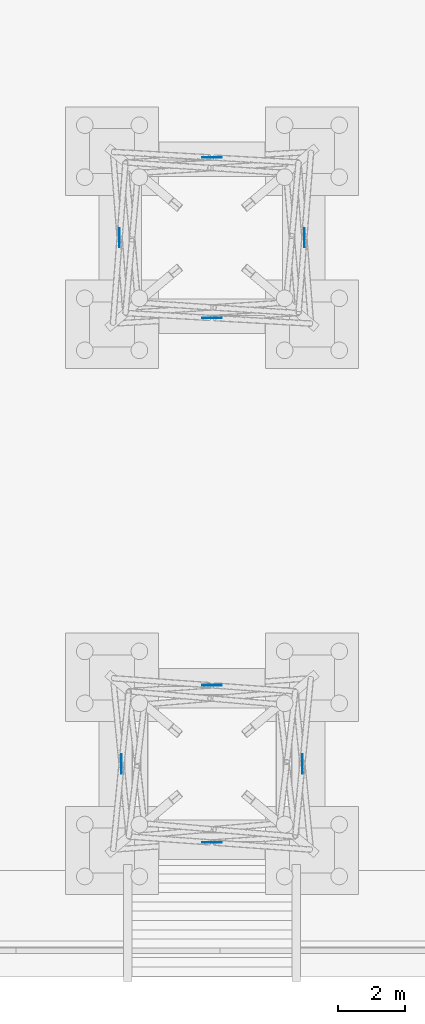
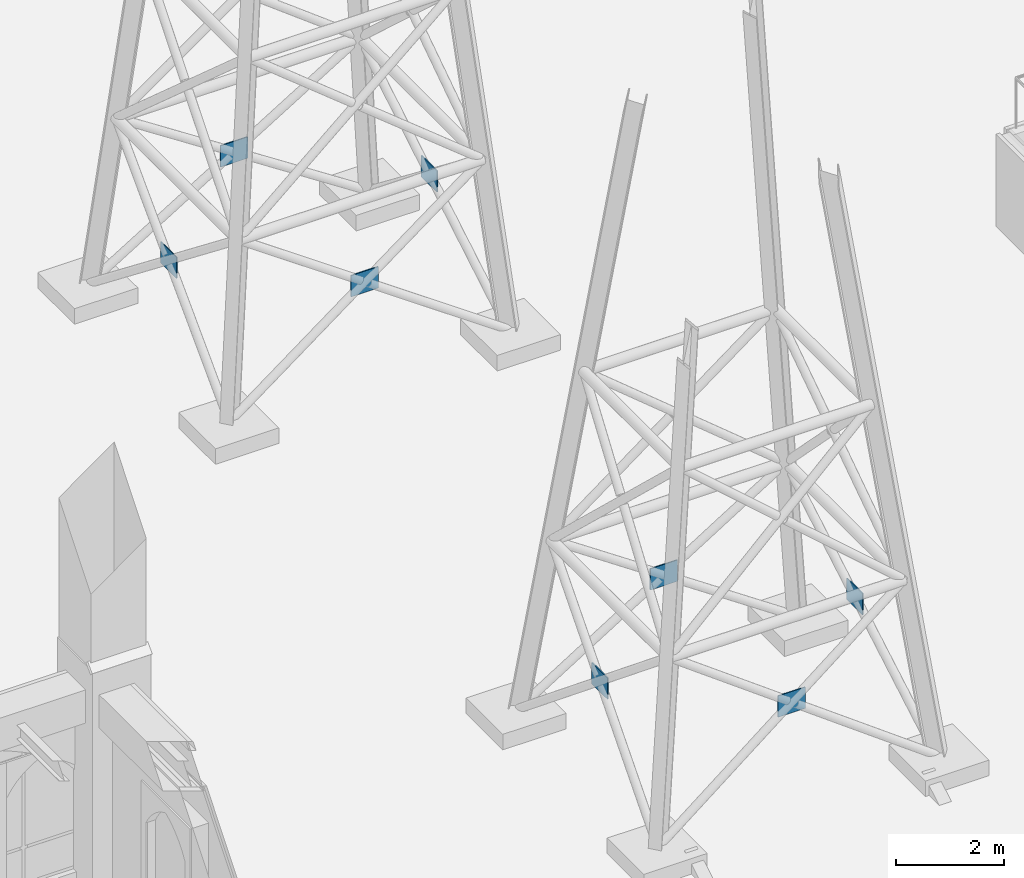
# One storey, part 57 of 135: 8 plates.
"""IFC4 building model written with IfcOpenShell, lengths in metres."""

from ifc_helpers import new_model, si_unit, direction, frame, origin, origin_2d, place, context, subcontext, project, spatial, rectangle, extrude, material, layer, layer_set, type_object, element, save


model = new_model("IFC4")

# Units and contexts
model_context = context("Model", 3, precision=1e-05, world=origin(), true_north=direction((0.0, 1.0)))
body_context = subcontext(model_context, "Body", "Model", "MODEL_VIEW")
ifc_project = project(units=[si_unit("LENGTHUNIT", "METRE"), si_unit("AREAUNIT", "SQUARE_METRE"), si_unit("VOLUMEUNIT", "CUBIC_METRE"), si_unit("PLANEANGLEUNIT", "RADIAN"), si_unit("MASSUNIT", "GRAM", prefix="KILO")], contexts=[model_context])

# Site, building, storey
site_placement = place(None, origin())
site = spatial("IfcSite", under=ifc_project, at=site_placement, CompositionType="ELEMENT")
building_placement = place(site_placement, origin())
building = spatial("IfcBuilding", under=site, at=building_placement, Name="Cumevento Cable Car Station", CompositionType="ELEMENT")
storey_placement = place(building_placement, origin())
storey = spatial("IfcBuildingStorey", under=building, at=storey_placement, Name="L01", CompositionType="ELEMENT", Elevation=0.0)

# Plates
ifc_material = material(Name="Steel ASTM A572 Grade 50", Category="steel")
ifc_layer = layer(ifc_material, 0.02197265625)
ifc_layer_set = layer_set([ifc_layer], Name="Steel ASTM A572 Grade 50")
plate_type = type_object("IfcPlateType", Name="Steel Plate GP-02 580x22x480", PredefinedType="USERDEFINED", material=ifc_layer_set)
for number, where, z_axis, x_axis, name in (
    (1, (94.0, 20.5908203125, 2.0771484375), (0.0, 0.0, 1.0), (1.0, 0.0, 0.0), "X-Brace Crossing Node Gusset Plate #87"),
    (2, (96.773681640625, 23.0, 2.0732421875), (0.0, 0.0, 1.0), (0.0, 1.0, 0.0), "X-Brace Crossing Node Gusset Plate #88"),
    (3, (94.0, 25.4091796875, 2.0771484375), (0.0, 0.0, 1.0), (1.0, 0.0, 0.0), "X-Brace Crossing Node Gusset Plate #89"),
    (4, (91.226318359375, 23.0, 2.0732421875), (0.0, 0.0, 1.0), (0.0, 1.0, 0.0), "X-Brace Crossing Node Gusset Plate #90"),
    (5, (94.0, 4.8408203125, 2.162841796875), (0.0, 0.0, 1.0), (1.0, 0.0, 0.0), "X-Brace Crossing Node Gusset Plate #107"),
    (6, (96.714599609375, 7.199951171875, 2.15771484375), (0.0, 0.0, 1.0), (0.0, 1.0, 0.0), "X-Brace Crossing Node Gusset Plate #108"),
    (7, (94.0, 9.559326171875, 2.162841796875), (0.0, 0.0, 1.0), (1.0, 0.0, 0.0), "X-Brace Crossing Node Gusset Plate #109"),
    (8, (91.285400390625, 7.199951171875, 2.15771484375), (0.0, 0.0, 1.0), (0.0, 1.0, 0.0), "X-Brace Crossing Node Gusset Plate #110"),
):
    element("IfcPlate", number, at=place(storey_placement, frame(where, z_axis=z_axis, x_axis=x_axis)), inside=storey, type_object=plate_type, Name=name, ObjectType="GUSSET_PLATE", PredefinedType="USERDEFINED", context=body_context, shape_type="SweptSolid", body=[
        extrude(rectangle(XDim=0.580078125, YDim=0.02197265625, at=origin_2d()), origin(), (0.0, 0.0, 1.0), 0.47998046875),
    ])

save(model, "model.ifc")
